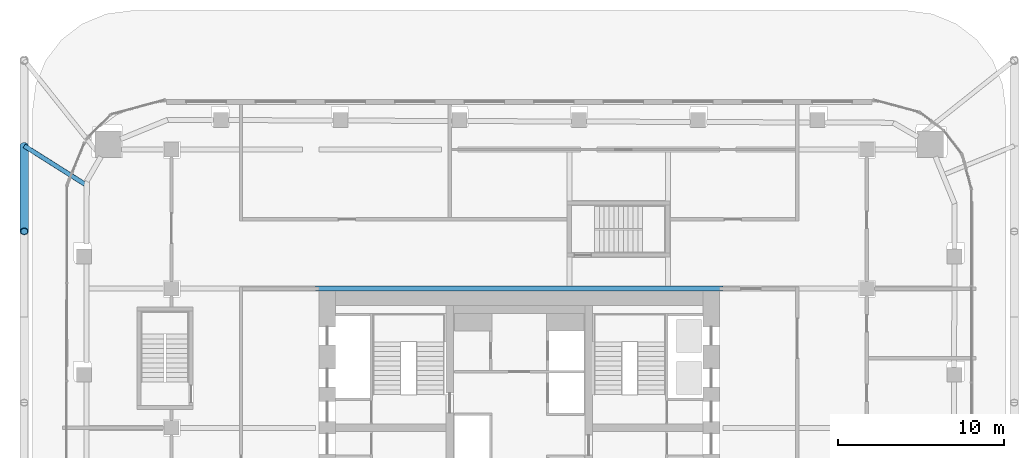
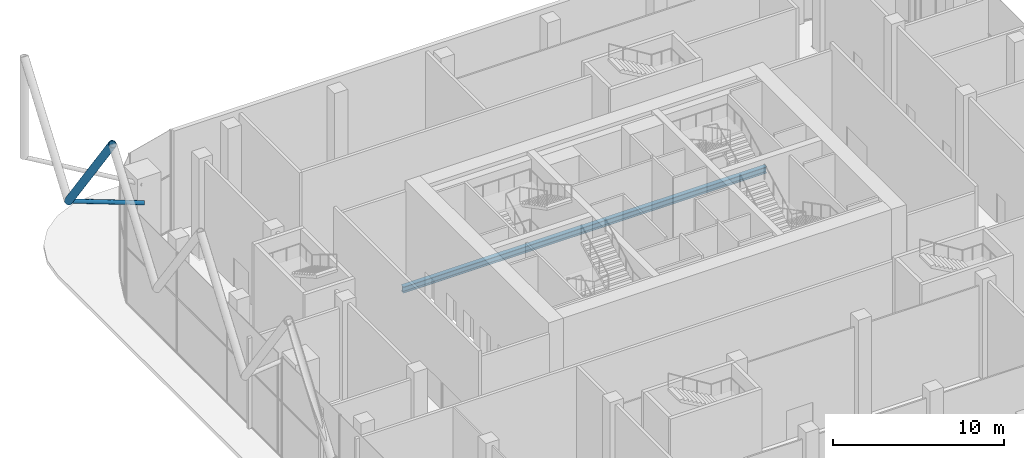
# One storey, part 9 of 34: 2 members, 1 beam.
"""IFC4 building model written with IfcOpenShell, lengths in metres."""

from ifc_helpers import new_model, si_unit, direction, frame, origin, origin_2d, place, context, subcontext, project, spatial, hollow_circle, i_section, extrude, material, material_profile, profile_set, type_object, element, save


model = new_model("IFC4")

# Units and contexts
model_context = context("Model", 3, precision=1e-05, world=origin(), true_north=direction((0.0, 1.0)))
body_context = subcontext(model_context, "Body", "Model", "MODEL_VIEW")
ifc_project = project(units=[si_unit("LENGTHUNIT", "METRE"), si_unit("AREAUNIT", "SQUARE_METRE"), si_unit("VOLUMEUNIT", "CUBIC_METRE"), si_unit("PLANEANGLEUNIT", "RADIAN"), si_unit("MASSUNIT", "GRAM", prefix="KILO")], contexts=[model_context])

# Site, building, storey
site_placement = place(None, origin())
site = spatial("IfcSite", under=ifc_project, at=site_placement, CompositionType="ELEMENT")
building_placement = place(site_placement, origin())
building = spatial("IfcBuilding", under=site, at=building_placement, Name="Marenta Gate Hotel Tower", CompositionType="ELEMENT")
storey_placement = place(building_placement, frame((0.0, 0.0, 97.699951171875)))
storey = spatial("IfcBuildingStorey", under=building, at=storey_placement, Name="L21", CompositionType="ELEMENT", Elevation=97.699951171875)

# Members
ifc_material_1 = material(Name="Steel S355J2W", Category="steel")
ifc_material_profile_1 = material_profile(ifc_material_1, hollow_circle(Radius=0.25390625, WallThickness=0.0400390625, at=origin_2d()), Name="CHS 508x40")
ifc_profile_set_1 = profile_set([ifc_material_profile_1], Name="Steel S355J2W")
member_type_1 = type_object("IfcMemberType", Name="Diagrid diagonal Z2 CHS 508x40", PredefinedType="BRACE", material=ifc_profile_set_1)
member_1_placement = place(storey_placement, frame((-29.89990234375, 25.429931640625, 6.739990234375), z_axis=(0.0, -0.583260841117, 0.812284919975), x_axis=(1.0, 0.0, 0.0)))
element("IfcMember", 1, at=member_1_placement, inside=storey, type_object=member_type_1, Name="L21-DG-33", PredefinedType="BRACE", context=body_context, shape_type="SweptSolid", body=[
    extrude(hollow_circle(Radius=0.25390625, WallThickness=0.0400390625, at=origin_2d()), origin(), (0.0, 0.0, 1.0), 8.86376953125),
])
ifc_material_2 = material(Name="Steel S355J2W", Category="steel")
ifc_material_profile_2 = material_profile(ifc_material_2, hollow_circle(Radius=0.136474609375, WallThickness=0.012451171875, at=origin_2d()), Name="CHS 273x12.5")
ifc_profile_set_2 = profile_set([ifc_material_profile_2], Name="Steel S355J2W")
member_type_2 = type_object("IfcMemberType", Name="Floor tie CHS 273x12.5", PredefinedType="STRUT", material=ifc_profile_set_2)
member_2_placement = place(storey_placement, frame((-29.89990234375, 25.429931640625, 6.739990234375), z_axis=(0.845306816759, -0.534281185839, 0.0), x_axis=(0.534281185839, 0.845306816759, 0.0)))
element("IfcMember", 2, at=member_2_placement, inside=storey, type_object=member_type_2, Name="L21-DR-21", PredefinedType="STRUT", context=body_context, shape_type="SweptSolid", body=[
    extrude(hollow_circle(Radius=0.136474609375, WallThickness=0.012451171875, at=origin_2d()), origin(), (0.0, 0.0, 1.0), 4.461669921875),
])

# Beam
ifc_material_3 = material(Name="Steel S355", Category="steel")
ifc_material_profile_3 = material_profile(ifc_material_3, i_section(OverallWidth=0.300048828125, OverallDepth=0.449951171875, WebThickness=0.013916015625, FlangeThickness=0.02587890625, FilletRadius=0.027099609375, at=origin_2d()), Name="HEB 450")
ifc_profile_set_3 = profile_set([ifc_material_profile_3], Name="Steel S355")
beam_type = type_object("IfcBeamType", Name="Girder HEB 450", PredefinedType="BEAM", material=ifc_profile_set_3)
beam_placement = place(storey_placement, frame((-12.300048828125, 16.800048828125, -0.48486328125), z_axis=(1.0, 0.0, 0.0), x_axis=(0.0, 1.0, 0.0)))
element("IfcBeam", 3, at=beam_placement, inside=storey, type_object=beam_type, Name="L21-GD-29", PredefinedType="BEAM", context=body_context, shape_type="SweptSolid", body=[
    extrude(i_section(OverallWidth=0.300048828125, OverallDepth=0.449951171875, WebThickness=0.013916015625, FlangeThickness=0.02587890625, FilletRadius=0.027099609375, at=origin_2d()), origin(), (0.0, 0.0, 1.0), 24.60009765625),
])

save(model, "model.ifc")
